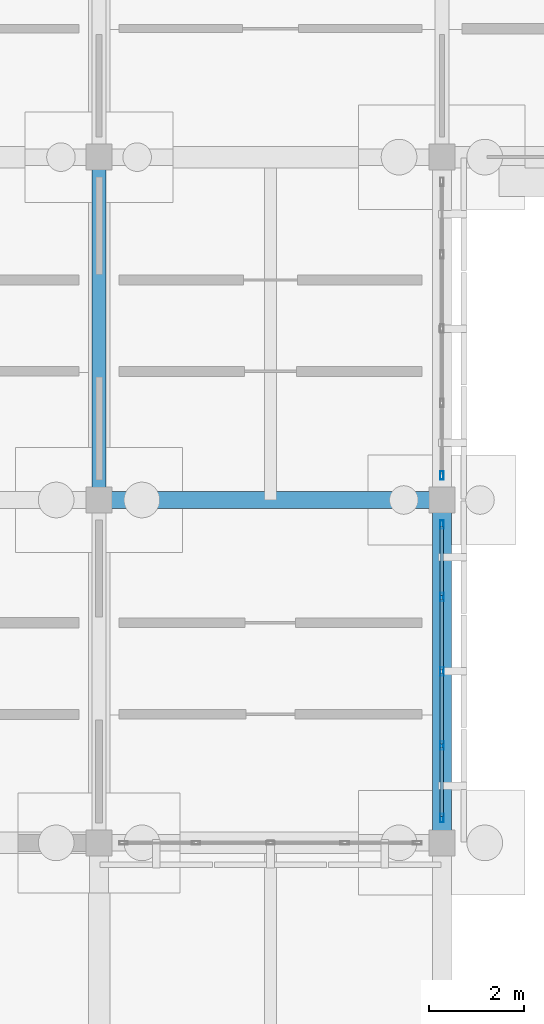
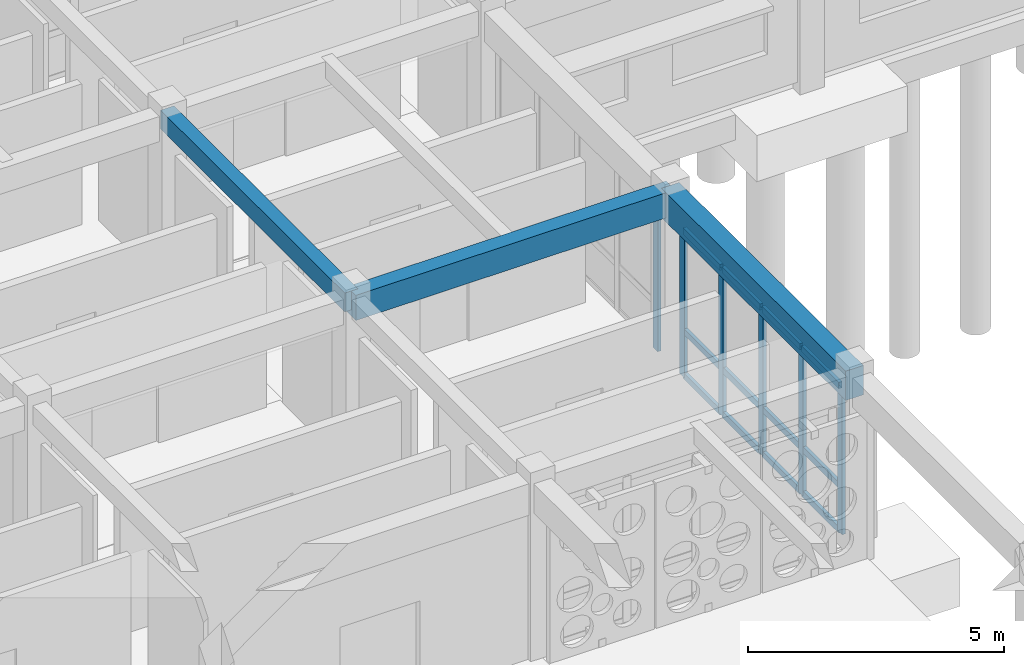
# One storey, part 24 of 111: 18 members, 3 beams, 2 elements without a shape of their own.
"""IFC4 building model written with IfcOpenShell, lengths in metres."""

import ifcopenshell
import ifcopenshell.guid

model = None  # the IFC model being written
_history = None  # IfcOwnerHistory: only IFC2X3 demands one
_inside = {}  # id of a spatial element -> (the spatial element, [elements in it])
_under = {}  # id of a project, library or spatial element -> (it, [spatial elements below it])
_declared = {}  # id of a project -> (the project, [libraries it declares])
_typed = {}  # id of a type object -> (the type object, [elements of that type])
_made_of = {}  # id of a material, layer set ... -> (it, [elements and type objects made of it])


def new_model(schema):
    """Start an empty IFC model of exactly this schema.

    Asked for "IFC4X3", IfcOpenShell would pick the latest addendum, in which some entities
    have other attributes; the version numbers below select the first issue.
    IFC2X3 requires an IfcOwnerHistory on every rooted entity: one is made here for all.
    """
    global model, _history
    if schema == "IFC4X3":
        model = ifcopenshell.file(schema_version=(4, 3, 0, 0))
    else:
        model = ifcopenshell.file(schema=schema)
    _inside.clear()
    _under.clear()
    _declared.clear()
    _typed.clear()
    _made_of.clear()
    _history = None
    if model.schema == "IFC2X3":
        org = make("IfcOrganization", Name="unknown")
        user = make(
            "IfcPersonAndOrganization",
            ThePerson=make("IfcPerson", FamilyName="unknown"),
            TheOrganization=org,
        )
        app = make(
            "IfcApplication",
            ApplicationDeveloper=org,
            Version="unknown",
            ApplicationFullName="unknown",
            ApplicationIdentifier="unknown",
        )
        _history = make(
            "IfcOwnerHistory",
            OwningUser=user,
            OwningApplication=app,
            ChangeAction="ADDED",
            CreationDate=0,
        )
    return model


def make(cls, **values):
    """One entity of the class cls with the attributes given. An attribute that is None is left unset."""
    return model.create_entity(
        cls, **{name: value for name, value in values.items() if value is not None}
    )


def rooted(cls, **values):
    """An entity with a GlobalId (a new one), such as an element, a storey or a relation."""
    return make(cls, GlobalId=ifcopenshell.guid.new(), OwnerHistory=_history, **values)


def si_unit(unit_type, name, prefix=None):
    """IfcSIUnit, for example si_unit("LENGTHUNIT", "METRE", prefix="MILLI")."""
    return make("IfcSIUnit", UnitType=unit_type, Prefix=prefix, Name=name)


def assignment(units):
    """IfcUnitAssignment: the units of a project."""
    return None if units is None else make("IfcUnitAssignment", Units=units)


def point(xyz):
    """IfcCartesianPoint."""
    return None if xyz is None else make("IfcCartesianPoint", Coordinates=xyz)


def direction(xyz):
    """IfcDirection."""
    return None if xyz is None else make("IfcDirection", DirectionRatios=xyz)


def frame(location, z_axis=None, x_axis=None):
    """IfcAxis2Placement3D, a coordinate frame: its origin and axes. An axis left out is left unset."""
    return make(
        "IfcAxis2Placement3D",
        Location=point(location),
        Axis=direction(z_axis),
        RefDirection=direction(x_axis),
    )


def frame_2d(location, x_axis=None):
    """IfcAxis2Placement2D, a coordinate frame in the plane: its origin and x axis."""
    return make(
        "IfcAxis2Placement2D", Location=point(location), RefDirection=direction(x_axis)
    )


def origin():
    """The frame at (0, 0, 0) with its axes left unset."""
    return frame((0.0, 0.0, 0.0))


def origin_2d():
    """The frame at (0, 0) in the plane with its x axis left unset."""
    return frame_2d((0.0, 0.0))


def place(relative_to, where):
    """IfcLocalPlacement: puts the frame where relative to a parent placement (None: the world)."""
    return make(
        "IfcLocalPlacement", PlacementRelTo=relative_to, RelativePlacement=where
    )


def context(
    kind, dimensions, precision=None, world=None, true_north=None, identifier=None
):
    """IfcGeometricRepresentationContext, for example the 3D "Model" context."""
    return make(
        "IfcGeometricRepresentationContext",
        ContextIdentifier=identifier,
        ContextType=kind,
        CoordinateSpaceDimension=dimensions,
        Precision=precision,
        WorldCoordinateSystem=world,
        TrueNorth=true_north,
    )


def subcontext(parent, identifier, kind, view, scale=None):
    """IfcGeometricRepresentationSubContext, for example "Body" below "Model"."""
    return make(
        "IfcGeometricRepresentationSubContext",
        ContextIdentifier=identifier,
        ContextType=kind,
        ParentContext=parent,
        TargetScale=scale,
        TargetView=view,
    )


def project(units=None, contexts=None):
    """IfcProject with its units and contexts."""
    return rooted(
        "IfcProject",
        Name="project",
        RepresentationContexts=contexts,
        UnitsInContext=assignment(units),
    )


def spatial(cls, under=None, at=None, **own):
    """A site, building, storey or space (cls), placed at a placement, below another one or the project."""
    s = rooted(cls, ObjectPlacement=at, **own)
    if under is not None:
        _under.setdefault(under.id(), (under, []))[1].append(s)
    return s


def profile(cls, at=None, kind="AREA", **sizes):
    """A parametric profile (cls). Its sizes go by their IFC names, for example OverallWidth=200.0."""
    return make(cls, ProfileType=kind, Position=at, **sizes)


def rectangle(**sizes):
    """IfcRectangleProfileDef."""
    return profile("IfcRectangleProfileDef", **sizes)


def hollow_rectangle(**sizes):
    """IfcRectangleHollowProfileDef."""
    return profile("IfcRectangleHollowProfileDef", **sizes)


def extrude(swept, where, along, depth):
    """IfcExtrudedAreaSolid: the profile swept, set in the frame where, extruded along a direction by depth."""
    return make(
        "IfcExtrudedAreaSolid",
        SweptArea=swept,
        Position=where,
        ExtrudedDirection=direction(along),
        Depth=depth,
    )


def shape(context_of_items, identifier, shape_type, items):
    """IfcShapeRepresentation: the items that make up one representation, for example the "Body"."""
    return make(
        "IfcShapeRepresentation",
        ContextOfItems=context_of_items,
        RepresentationIdentifier=identifier,
        RepresentationType=shape_type,
        Items=items,
    )


def material(Name=None, Category=None):
    """IfcMaterial."""
    return make("IfcMaterial", Name=Name, Category=Category)


def material_profile(
    of_material, cross_section, Name=None, Category=None, Priority=None
):
    """IfcMaterialProfile: a cross section and its material."""
    return make(
        "IfcMaterialProfile",
        Name=Name,
        Material=of_material,
        Profile=cross_section,
        Priority=Priority,
        Category=Category,
    )


def profile_set(profiles, Name=None, composite=None):
    """IfcMaterialProfileSet."""
    return make(
        "IfcMaterialProfileSet",
        Name=Name,
        MaterialProfiles=profiles,
        CompositeProfile=composite,
    )


def made_of(thing, what):
    """Note that an element or type object is made of a material, layer set ...; save() writes the relation."""
    if what is not None:
        _made_of.setdefault(what.id(), (what, []))[1].append(thing)
    return thing


def type_object(cls, material=None, **own):
    """A type object (cls), such as IfcWallType, which elements share."""
    return made_of(rooted(cls, **own), material)


def element(
    cls,
    number,
    at=None,
    inside=None,
    cuts=None,
    type_object=None,
    material=None,
    context=None,
    identifier="Body",
    shape_type=None,
    held_by="IfcProductDefinitionShape",
    body=None,
    shapes=None,
    **own,
):
    """One element of the class cls, such as IfcWall. Its Tag is "e" and its number.

    at: its placement. inside: the storey or other place that contains it. cuts: it is an
    opening in that element (IfcRelVoidsElement). A single representation is given by context,
    identifier, shape_type and body (its items); several are given by shapes. held_by: the class
    of the entity that holds the representations. save() writes the other relations.
    """
    e = rooted(cls, Tag="e%d" % number, ObjectPlacement=at, **own)
    if body is not None:
        shapes = [shape(context, identifier, shape_type, body)]
    if shapes is not None:
        e.Representation = make(held_by, Representations=shapes)
    if inside is not None:
        _inside.setdefault(inside.id(), (inside, []))[1].append(e)
    if cuts is not None:
        rooted(
            "IfcRelVoidsElement", RelatingBuildingElement=cuts, RelatedOpeningElement=e
        )
    if type_object is not None:
        _typed.setdefault(type_object.id(), (type_object, []))[1].append(e)
    return made_of(e, material)


def aggregate(whole, parts):
    """IfcRelAggregates: a whole, such as a stair, and the parts it consists of."""
    return rooted("IfcRelAggregates", RelatingObject=whole, RelatedObjects=parts)


def save(model, path):
    """Write the relations noted so far, then the file.

    IfcRelAggregates (storeys below a building ...), IfcRelContainedInSpatialStructure (elements
    in a storey), IfcRelDefinesByType, IfcRelAssociatesMaterial and IfcRelDeclares: one each for
    every whole, place, type object, material and project.
    """
    for whole, parts in _under.values():
        aggregate(whole, parts)
    for where, things in _inside.values():
        rooted(
            "IfcRelContainedInSpatialStructure",
            RelatedElements=things,
            RelatingStructure=where,
        )
    for kind, things in _typed.values():
        rooted("IfcRelDefinesByType", RelatedObjects=things, RelatingType=kind)
    for what, things in _made_of.values():
        rooted("IfcRelAssociatesMaterial", RelatedObjects=things, RelatingMaterial=what)
    for by, libraries in _declared.values():
        rooted("IfcRelDeclares", RelatingContext=by, RelatedDefinitions=libraries)
    model.write(path)


model = new_model("IFC4")

# Units and contexts
model_context = context("Model", 3, precision=1e-05, world=origin(), true_north=direction((0.0, 1.0)))
body_context = subcontext(model_context, "Body", "Model", "MODEL_VIEW")
ifc_project = project(units=[si_unit("LENGTHUNIT", "METRE"), si_unit("AREAUNIT", "SQUARE_METRE"), si_unit("VOLUMEUNIT", "CUBIC_METRE"), si_unit("PLANEANGLEUNIT", "RADIAN"), si_unit("MASSUNIT", "GRAM", prefix="KILO")], contexts=[model_context])

# Site, building, storey
site_placement = place(None, origin())
site = spatial("IfcSite", under=ifc_project, at=site_placement, CompositionType="ELEMENT")
building_placement = place(site_placement, origin())
building = spatial("IfcBuilding", under=site, at=building_placement, Name="Aldebral Square Health Centre", CompositionType="ELEMENT")
storey_placement = place(building_placement, origin())
storey = spatial("IfcBuildingStorey", under=building, at=storey_placement, Name="L00", CompositionType="ELEMENT", Elevation=0.0)

# Beams
ifc_material_1 = material(Name="Concrete C40/50", Category="concrete")
ifc_material_profile_1 = material_profile(ifc_material_1, rectangle(XDim=0.35009765625, YDim=0.60009765625, at=origin_2d()), Name="RC 350x600")
ifc_profile_set_1 = profile_set([ifc_material_profile_1], Name="Concrete C40/50")
beam_type_1 = type_object("IfcBeamType", Name="BM-B2", PredefinedType="BEAM", material=ifc_profile_set_1)
beam_1_placement = place(storey_placement, frame((100.800048828125, 86.39990234375, 3.919921875), z_axis=(1.0, 0.0, 0.0), x_axis=(0.0, 1.0, 0.0)))
element("IfcBeam", 1, at=beam_1_placement, inside=storey, type_object=beam_type_1, Name="L00 X-beam 15-16/G13", PredefinedType="BEAM", context=body_context, shape_type="SweptSolid", body=[
    extrude(rectangle(XDim=0.35009765625, YDim=0.60009765625, at=origin_2d()), origin(), (0.0, 0.0, 1.0), 7.199951171875),
])
ifc_material_profile_2 = material_profile(ifc_material_1, rectangle(XDim=0.300048828125, YDim=0.449951171875, at=origin_2d()), Name="RC 300x450")
ifc_profile_set_2 = profile_set([ifc_material_profile_2], Name="Concrete C40/50")
beam_type_2 = type_object("IfcBeamType", Name="BM-B5", PredefinedType="BEAM", material=ifc_profile_set_2)
beam_2_placement = place(storey_placement, frame((100.800048828125, 86.39990234375, 3.9951171875), z_axis=(0.0, 1.0, 0.0), x_axis=(-1.0, 0.0, 0.0)))
element("IfcBeam", 2, at=beam_2_placement, inside=storey, type_object=beam_type_2, Name="L00 Y-beam G15/13-14", PredefinedType="BEAM", context=body_context, shape_type="SweptSolid", body=[
    extrude(rectangle(XDim=0.300048828125, YDim=0.449951171875, at=origin_2d()), origin(), (0.0, 0.0, 1.0), 7.2001953125),
])
ifc_material_profile_3 = material_profile(ifc_material_1, rectangle(XDim=0.39990234375, YDim=0.699951171875, at=origin_2d()), Name="RC 400x700")
ifc_profile_set_3 = profile_set([ifc_material_profile_3], Name="Concrete C40/50")
beam_type_3 = type_object("IfcBeamType", Name="BM-G3", PredefinedType="T_BEAM", material=ifc_profile_set_3)
beam_3_placement = place(storey_placement, frame((108.0, 79.199951171875, 3.8701171875), z_axis=(0.0, 1.0, 0.0), x_axis=(-1.0, 0.0, 0.0)))
element("IfcBeam", 3, at=beam_3_placement, inside=storey, type_object=beam_type_3, Name="L00 Y-beam G16/12-13", PredefinedType="T_BEAM", context=body_context, shape_type="SweptSolid", body=[
    extrude(rectangle(XDim=0.39990234375, YDim=0.699951171875, at=origin_2d()), origin(), (0.0, 0.0, 1.0), 7.199951171875),
])

# Curtain wall, members
ifc_material_2 = material(Name="Aluminium and low-E solar glass", Category="aluminium")
curtain_wall_type = type_object("IfcCurtainWallType", Name="CW-HALL-SYS", PredefinedType="USERDEFINED", material=ifc_material_2)
curtain_wall_1_placement = place(storey_placement, origin())
curtain_wall_1 = element("IfcCurtainWall", 4, at=curtain_wall_1_placement, inside=storey, type_object=curtain_wall_type, Name="L00 V1 hall curtain wall L00-V1-14-11-E", ObjectType="HALL_CURTAIN_WALL", PredefinedType="USERDEFINED")
ifc_material_3 = material(Name="Anodised aluminium mullion", Category="aluminium")
ifc_material_profile_4 = material_profile(ifc_material_3, hollow_rectangle(XDim=0.074951171875, YDim=0.179931640625, WallThickness=0.00390625, at=origin_2d()), Name="CWM 75x180x4")
ifc_profile_set_4 = profile_set([ifc_material_profile_4], Name="Anodised aluminium mullion")
member_type_1 = type_object("IfcMemberType", Name="CWM-STD", PredefinedType="MULLION", material=ifc_profile_set_4)
member_1_placement = place(storey_placement, frame((108.0, 79.717529296875, 0.0), z_axis=(0.0, 0.0, 1.0), x_axis=(-1.0, 0.0, 0.0)))
member_1 = element("IfcMember", 5, at=member_1_placement, type_object=member_type_1, Name="CW2 mullion 1", PredefinedType="MULLION", context=body_context, shape_type="SweptSolid", body=[
    extrude(hollow_rectangle(XDim=0.074951171875, YDim=0.179931640625, WallThickness=0.00390625, at=origin_2d()), origin(), (0.0, 0.0, 1.0), 3.52001953125),
])
member_2_placement = place(storey_placement, frame((108.0, 81.239990234375, 0.0), z_axis=(0.0, 0.0, 1.0), x_axis=(-1.0, 0.0, 0.0)))
member_2 = element("IfcMember", 6, at=member_2_placement, type_object=member_type_1, Name="CW2 mullion 2", PredefinedType="MULLION", context=body_context, shape_type="SweptSolid", body=[
    extrude(hollow_rectangle(XDim=0.074951171875, YDim=0.179931640625, WallThickness=0.00390625, at=origin_2d()), origin(), (0.0, 0.0, 1.0), 3.52001953125),
])
member_3_placement = place(storey_placement, frame((108.0, 82.800048828125, 0.0), z_axis=(0.0, 0.0, 1.0), x_axis=(-1.0, 0.0, 0.0)))
member_3 = element("IfcMember", 7, at=member_3_placement, type_object=member_type_1, Name="CW2 mullion 3", PredefinedType="MULLION", context=body_context, shape_type="SweptSolid", body=[
    extrude(hollow_rectangle(XDim=0.074951171875, YDim=0.179931640625, WallThickness=0.00390625, at=origin_2d()), origin(), (0.0, 0.0, 1.0), 3.52001953125),
])
member_4_placement = place(storey_placement, frame((108.0, 84.360107421875, 0.0), z_axis=(0.0, 0.0, 1.0), x_axis=(-1.0, 0.0, 0.0)))
member_4 = element("IfcMember", 8, at=member_4_placement, type_object=member_type_1, Name="CW2 mullion 4", PredefinedType="MULLION", context=body_context, shape_type="SweptSolid", body=[
    extrude(hollow_rectangle(XDim=0.074951171875, YDim=0.179931640625, WallThickness=0.00390625, at=origin_2d()), origin(), (0.0, 0.0, 1.0), 3.52001953125),
])
member_5_placement = place(storey_placement, frame((108.0, 85.882568359375, 0.0), z_axis=(0.0, 0.0, 1.0), x_axis=(-1.0, 0.0, 0.0)))
member_5 = element("IfcMember", 9, at=member_5_placement, type_object=member_type_1, Name="CW2 mullion 5", PredefinedType="MULLION", context=body_context, shape_type="SweptSolid", body=[
    extrude(hollow_rectangle(XDim=0.074951171875, YDim=0.179931640625, WallThickness=0.00390625, at=origin_2d()), origin(), (0.0, 0.0, 1.0), 3.52001953125),
])

# Curtain wall, member
curtain_wall_2_placement = place(storey_placement, origin())
curtain_wall_2 = element("IfcCurtainWall", 10, at=curtain_wall_2_placement, inside=storey, type_object=curtain_wall_type, Name="L00 V1 hall curtain wall L00-V1-14-12-E", ObjectType="HALL_CURTAIN_WALL", PredefinedType="USERDEFINED")
member_6_placement = place(storey_placement, frame((108.0, 86.91748046875, 0.0), z_axis=(0.0, 0.0, 1.0), x_axis=(-1.0, 0.0, 0.0)))
member_6 = element("IfcMember", 11, at=member_6_placement, type_object=member_type_1, Name="CW2 mullion 1", PredefinedType="MULLION", context=body_context, shape_type="SweptSolid", body=[
    extrude(hollow_rectangle(XDim=0.074951171875, YDim=0.179931640625, WallThickness=0.00390625, at=origin_2d()), origin(), (0.0, 0.0, 1.0), 3.52001953125),
])
aggregate(curtain_wall_2, [member_6])

# Member
ifc_material_4 = material(Name="Anodised aluminium transom", Category="aluminium")
ifc_material_profile_5 = material_profile(ifc_material_4, hollow_rectangle(XDim=0.074951171875, YDim=0.14990234375, WallThickness=0.00390625, at=origin_2d()), Name="CWT 75x150x4")
ifc_profile_set_5 = profile_set([ifc_material_profile_5], Name="Anodised aluminium transom")
member_type_2 = type_object("IfcMemberType", Name="CWT-STD", PredefinedType="USERDEFINED", material=ifc_profile_set_5)
member_7_placement = place(storey_placement, frame((108.0, 79.7548828125, 0.03759765625), z_axis=(0.0, 1.0, 0.0), x_axis=(-1.0, 0.0, 0.0)))
member_7 = element("IfcMember", 12, at=member_7_placement, type_object=member_type_2, Name="CW2 transom 1.1", ObjectType="TRANSOM", PredefinedType="USERDEFINED", context=body_context, shape_type="SweptSolid", body=[
    extrude(hollow_rectangle(XDim=0.074951171875, YDim=0.14990234375, WallThickness=0.00390625, at=origin_2d()), origin(), (0.0, 0.0, 1.0), 1.447509765625),
])

member_8_placement = place(storey_placement, frame((108.0, 79.7548828125, 1.10009765625), z_axis=(0.0, 1.0, 0.0), x_axis=(-1.0, 0.0, 0.0)))
member_8 = element("IfcMember", 13, at=member_8_placement, type_object=member_type_2, Name="CW2 transom 1.2", ObjectType="TRANSOM", PredefinedType="USERDEFINED", context=body_context, shape_type="SweptSolid", body=[
    extrude(hollow_rectangle(XDim=0.074951171875, YDim=0.14990234375, WallThickness=0.00390625, at=origin_2d()), origin(), (0.0, 0.0, 1.0), 1.447509765625),
])

member_9_placement = place(storey_placement, frame((108.0, 79.7548828125, 3.482421875), z_axis=(0.0, 1.0, 0.0), x_axis=(-1.0, 0.0, 0.0)))
member_9 = element("IfcMember", 14, at=member_9_placement, type_object=member_type_2, Name="CW2 transom 1.3", ObjectType="TRANSOM", PredefinedType="USERDEFINED", context=body_context, shape_type="SweptSolid", body=[
    extrude(hollow_rectangle(XDim=0.074951171875, YDim=0.14990234375, WallThickness=0.00390625, at=origin_2d()), origin(), (0.0, 0.0, 1.0), 1.447509765625),
])

member_10_placement = place(storey_placement, frame((108.0, 81.277587890625, 0.03759765625), z_axis=(0.0, 1.0, 0.0), x_axis=(-1.0, 0.0, 0.0)))
member_10 = element("IfcMember", 15, at=member_10_placement, type_object=member_type_2, Name="CW2 transom 2.1", ObjectType="TRANSOM", PredefinedType="USERDEFINED", context=body_context, shape_type="SweptSolid", body=[
    extrude(hollow_rectangle(XDim=0.074951171875, YDim=0.14990234375, WallThickness=0.00390625, at=origin_2d()), origin(), (0.0, 0.0, 1.0), 1.48486328125),
])

member_11_placement = place(storey_placement, frame((108.0, 81.277587890625, 1.10009765625), z_axis=(0.0, 1.0, 0.0), x_axis=(-1.0, 0.0, 0.0)))
member_11 = element("IfcMember", 16, at=member_11_placement, type_object=member_type_2, Name="CW2 transom 2.2", ObjectType="TRANSOM", PredefinedType="USERDEFINED", context=body_context, shape_type="SweptSolid", body=[
    extrude(hollow_rectangle(XDim=0.074951171875, YDim=0.14990234375, WallThickness=0.00390625, at=origin_2d()), origin(), (0.0, 0.0, 1.0), 1.48486328125),
])

member_12_placement = place(storey_placement, frame((108.0, 81.277587890625, 3.482421875), z_axis=(0.0, 1.0, 0.0), x_axis=(-1.0, 0.0, 0.0)))
member_12 = element("IfcMember", 17, at=member_12_placement, type_object=member_type_2, Name="CW2 transom 2.3", ObjectType="TRANSOM", PredefinedType="USERDEFINED", context=body_context, shape_type="SweptSolid", body=[
    extrude(hollow_rectangle(XDim=0.074951171875, YDim=0.14990234375, WallThickness=0.00390625, at=origin_2d()), origin(), (0.0, 0.0, 1.0), 1.48486328125),
])

member_13_placement = place(storey_placement, frame((108.0, 82.83740234375, 0.03759765625), z_axis=(0.0, 1.0, 0.0), x_axis=(-1.0, 0.0, 0.0)))
member_13 = element("IfcMember", 18, at=member_13_placement, type_object=member_type_2, Name="CW2 transom 3.1", ObjectType="TRANSOM", PredefinedType="USERDEFINED", context=body_context, shape_type="SweptSolid", body=[
    extrude(hollow_rectangle(XDim=0.074951171875, YDim=0.14990234375, WallThickness=0.00390625, at=origin_2d()), origin(), (0.0, 0.0, 1.0), 1.485107421875),
])

member_14_placement = place(storey_placement, frame((108.0, 82.83740234375, 1.10009765625), z_axis=(0.0, 1.0, 0.0), x_axis=(-1.0, 0.0, 0.0)))
member_14 = element("IfcMember", 19, at=member_14_placement, type_object=member_type_2, Name="CW2 transom 3.2", ObjectType="TRANSOM", PredefinedType="USERDEFINED", context=body_context, shape_type="SweptSolid", body=[
    extrude(hollow_rectangle(XDim=0.074951171875, YDim=0.14990234375, WallThickness=0.00390625, at=origin_2d()), origin(), (0.0, 0.0, 1.0), 1.485107421875),
])

member_15_placement = place(storey_placement, frame((108.0, 82.83740234375, 3.482421875), z_axis=(0.0, 1.0, 0.0), x_axis=(-1.0, 0.0, 0.0)))
member_15 = element("IfcMember", 20, at=member_15_placement, type_object=member_type_2, Name="CW2 transom 3.3", ObjectType="TRANSOM", PredefinedType="USERDEFINED", context=body_context, shape_type="SweptSolid", body=[
    extrude(hollow_rectangle(XDim=0.074951171875, YDim=0.14990234375, WallThickness=0.00390625, at=origin_2d()), origin(), (0.0, 0.0, 1.0), 1.485107421875),
])

member_16_placement = place(storey_placement, frame((108.0, 84.3974609375, 0.03759765625), z_axis=(0.0, 1.0, 0.0), x_axis=(-1.0, 0.0, 0.0)))
member_16 = element("IfcMember", 21, at=member_16_placement, type_object=member_type_2, Name="CW2 transom 4.1", ObjectType="TRANSOM", PredefinedType="USERDEFINED", context=body_context, shape_type="SweptSolid", body=[
    extrude(hollow_rectangle(XDim=0.074951171875, YDim=0.14990234375, WallThickness=0.00390625, at=origin_2d()), origin(), (0.0, 0.0, 1.0), 1.447509765625),
])

member_17_placement = place(storey_placement, frame((108.0, 84.3974609375, 1.10009765625), z_axis=(0.0, 1.0, 0.0), x_axis=(-1.0, 0.0, 0.0)))
member_17 = element("IfcMember", 22, at=member_17_placement, type_object=member_type_2, Name="CW2 transom 4.2", ObjectType="TRANSOM", PredefinedType="USERDEFINED", context=body_context, shape_type="SweptSolid", body=[
    extrude(hollow_rectangle(XDim=0.074951171875, YDim=0.14990234375, WallThickness=0.00390625, at=origin_2d()), origin(), (0.0, 0.0, 1.0), 1.447509765625),
])

member_18_placement = place(storey_placement, frame((108.0, 84.3974609375, 3.482421875), z_axis=(0.0, 1.0, 0.0), x_axis=(-1.0, 0.0, 0.0)))
member_18 = element("IfcMember", 23, at=member_18_placement, type_object=member_type_2, Name="CW2 transom 4.3", ObjectType="TRANSOM", PredefinedType="USERDEFINED", context=body_context, shape_type="SweptSolid", body=[
    extrude(hollow_rectangle(XDim=0.074951171875, YDim=0.14990234375, WallThickness=0.00390625, at=origin_2d()), origin(), (0.0, 0.0, 1.0), 1.447509765625),
])

aggregate(curtain_wall_1, [member_1, member_2, member_3, member_4, member_5, member_7, member_8, member_9, member_10, member_11, member_12, member_13, member_14, member_15, member_16, member_17, member_18])

save(model, "model.ifc")
